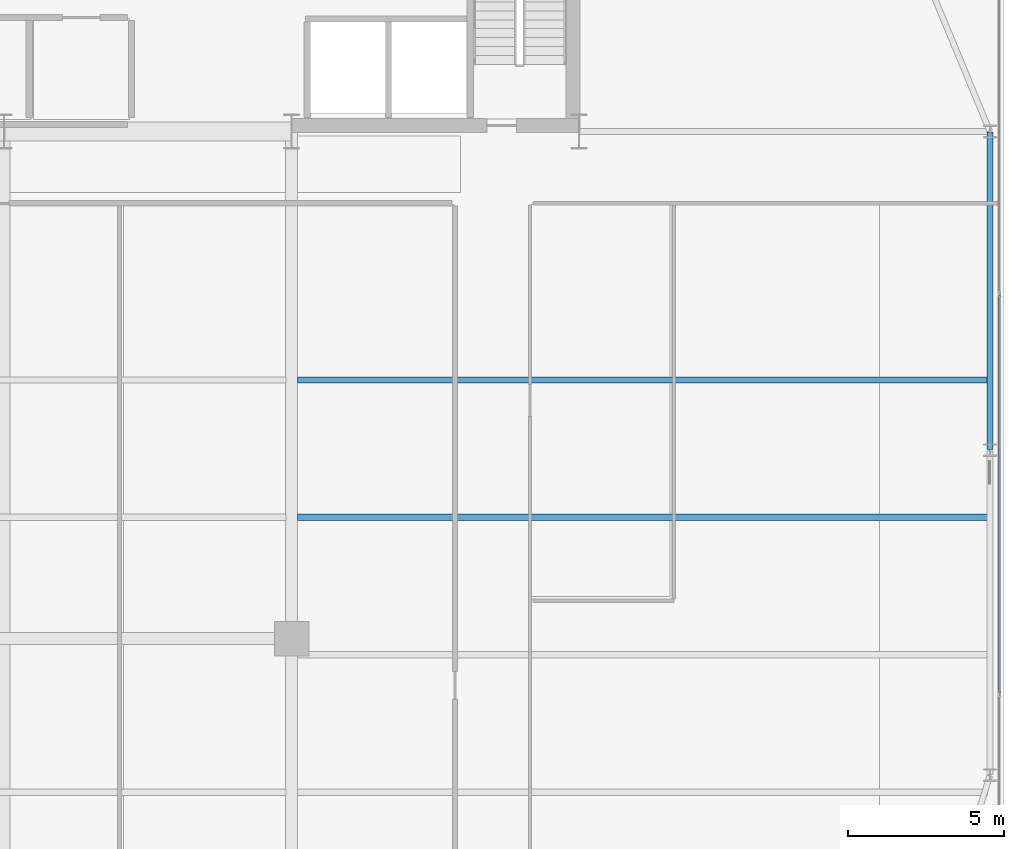
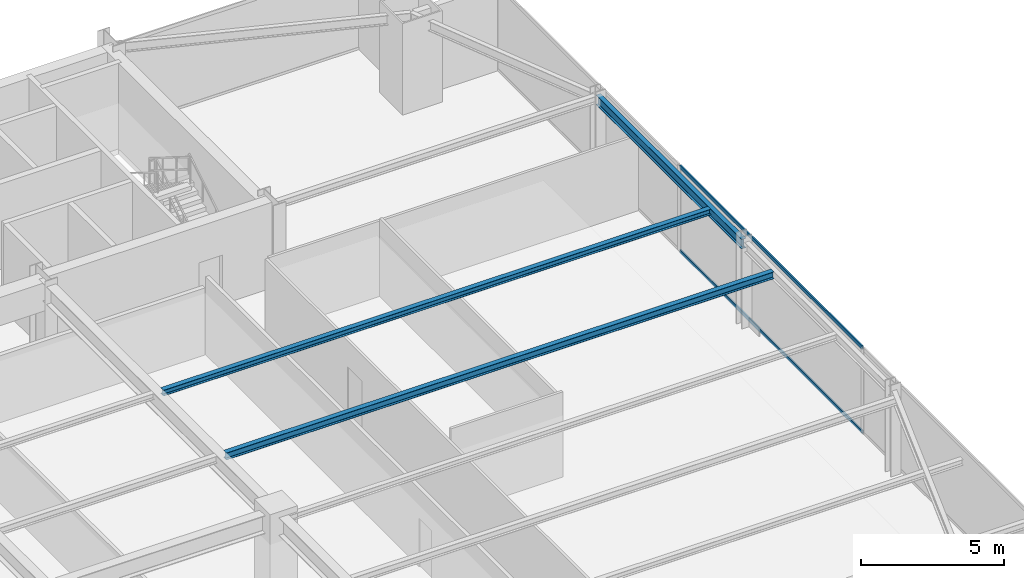
# One storey, part 17 of 31: 3 beams, 2 members, 1 element without a shape of its own.
"""IFC4 building model written with IfcOpenShell, lengths in metres."""

from ifc_helpers import new_model, si_unit, direction, frame, origin, origin_2d, place, context, subcontext, project, spatial, hollow_rectangle, i_section, extrude, source, transform, mapped, material, layer, layer_set, material_profile, profile_set, type_object, type_shapes, element, aggregate, save


model = new_model("IFC4")

# Units and contexts
model_context = context("Model", 3, precision=1e-05, world=origin(), true_north=direction((0.0, 1.0)))
body_context = subcontext(model_context, "Body", "Model", "MODEL_VIEW")
ifc_project = project(units=[si_unit("LENGTHUNIT", "METRE"), si_unit("AREAUNIT", "SQUARE_METRE"), si_unit("VOLUMEUNIT", "CUBIC_METRE"), si_unit("PLANEANGLEUNIT", "RADIAN"), si_unit("MASSUNIT", "GRAM", prefix="KILO")], contexts=[model_context])

# Site, building, storey
site_placement = place(None, origin())
site = spatial("IfcSite", under=ifc_project, at=site_placement, CompositionType="ELEMENT")
building_placement = place(site_placement, origin())
building = spatial("IfcBuilding", under=site, at=building_placement, Name="Varnel Quay Broadcast Tower", CompositionType="ELEMENT")
storey_placement = place(building_placement, frame((0.0, 0.0, 35.39990234375)))
storey = spatial("IfcBuildingStorey", under=building, at=storey_placement, Name="L07", CompositionType="ELEMENT", Elevation=35.39990234375)

# Beams
ifc_material_1 = material(Name="Structural Steel CSA G40.21 350W", Category="steel")
ifc_material_profile_1 = material_profile(ifc_material_1, i_section(OverallWidth=0.180908203125, OverallDepth=0.4169921875, WebThickness=0.010986328125, FlangeThickness=0.018310546875, FilletRadius=0.011962890625, at=origin_2d()), Name="W410X85")
ifc_profile_set_1 = profile_set([ifc_material_profile_1], Name="Structural Steel CSA G40.21 350W")
beam_type_1 = type_object("IfcBeamType", Name="Beam_W410X85", PredefinedType="SPANDREL", material=ifc_profile_set_1)
shared_shape_1 = source(origin(), body_context, "Body", "SweptSolid", [
    extrude(i_section(OverallWidth=0.180908203125, OverallDepth=0.4169921875, WebThickness=0.010986328125, FlangeThickness=0.018310546875, FilletRadius=0.011962890625, at=origin_2d()), origin(), (0.0, 0.0, 1.0), 10.16015625),
])
type_shapes(beam_type_1, [shared_shape_1])
beam_1_placement = place(storey_placement, frame((65.550048828125, 25.419921875, 3.441650390625), z_axis=(0.0, 1.0, 0.0), x_axis=(-1.0, 0.0, 0.0)))
element("IfcBeam", 1, at=beam_1_placement, inside=storey, type_object=beam_type_1, Name="L07 East Spandrel TC-E2-TC-E3", PredefinedType="SPANDREL", context=body_context, shape_type="MappedRepresentation", body=[
    mapped(shared_shape_1, transform((0.0, 0.0, 0.0), x_axis=(1.0, 0.0, 0.0), y_axis=(0.0, 1.0, 0.0), z_axis=(0.0, 0.0, 1.0), scale=1.0)),
])
ifc_material_profile_2 = material_profile(ifc_material_1, i_section(OverallWidth=0.202880859375, OverallDepth=0.302978515625, WebThickness=0.007568359375, FlangeThickness=0.01318359375, FilletRadius=0.011962890625, at=origin_2d()), Name="W310X60")
ifc_profile_set_2 = profile_set([ifc_material_profile_2], Name="Structural Steel CSA G40.21 350W")
beam_type_2 = type_object("IfcBeamType", Name="Beam_W310X60", PredefinedType="JOIST", material=ifc_profile_set_2)
shared_shape_2 = source(origin(), body_context, "Body", "SweptSolid", [
    extrude(i_section(OverallWidth=0.202880859375, OverallDepth=0.302978515625, WebThickness=0.007568359375, FlangeThickness=0.01318359375, FilletRadius=0.011962890625, at=origin_2d()), origin(), (0.0, 0.0, 1.0), 22.0791015625),
])
type_shapes(beam_type_2, [shared_shape_2])
beam_2_placement = place(storey_placement, frame((43.385498046875, 23.25, 3.49853515625), z_axis=(1.0, 0.0, 0.0), x_axis=(0.0, 1.0, 0.0)))
element("IfcBeam", 2, at=beam_2_placement, inside=storey, type_object=beam_type_2, Name="L07 East Floor Joist 5", PredefinedType="JOIST", context=body_context, shape_type="MappedRepresentation", body=[
    mapped(shared_shape_2, transform((0.0, 0.0, 0.0), x_axis=(1.0, 0.0, 0.0), y_axis=(0.0, 1.0, 0.0), z_axis=(0.0, 0.0, 1.0), scale=1.0)),
])
ifc_material_profile_3 = material_profile(ifc_material_1, i_section(OverallWidth=0.201904296875, OverallDepth=0.2470703125, WebThickness=0.00732421875, FlangeThickness=0.010986328125, FilletRadius=0.010986328125, at=origin_2d()), Name="W250X49")
ifc_profile_set_3 = profile_set([ifc_material_profile_3], Name="Structural Steel CSA G40.21 350W")
beam_type_3 = type_object("IfcBeamType", Name="Beam_W250X49", PredefinedType="JOIST", material=ifc_profile_set_3)
shared_shape_3 = source(origin(), body_context, "Body", "SweptSolid", [
    extrude(i_section(OverallWidth=0.201904296875, OverallDepth=0.2470703125, WebThickness=0.00732421875, FlangeThickness=0.010986328125, FilletRadius=0.010986328125, at=origin_2d()), origin(), (0.0, 0.0, 1.0), 22.0791015625),
])
type_shapes(beam_type_3, [shared_shape_3])
beam_3_placement = place(storey_placement, frame((43.385498046875, 27.64990234375, 3.526611328125), z_axis=(1.0, 0.0, 0.0), x_axis=(0.0, 1.0, 0.0)))
element("IfcBeam", 3, at=beam_3_placement, inside=storey, type_object=beam_type_3, Name="L07 East Floor Joist 6", PredefinedType="JOIST", context=body_context, shape_type="MappedRepresentation", body=[
    mapped(shared_shape_3, transform((0.0, 0.0, 0.0), x_axis=(1.0, 0.0, 0.0), y_axis=(0.0, 1.0, 0.0), z_axis=(0.0, 0.0, 1.0), scale=1.0)),
])

# Curtain wall, members
ifc_material_2 = material(Name="Anodised Bronze Aluminium 6063-T6", Category="aluminium")
ifc_layer = layer(ifc_material_2, 0.18994140625, Name="Anodised Bronze Aluminium 6063-T6")
ifc_layer_set = layer_set([ifc_layer], Name="Anodised Bronze Aluminium 6063-T6")
curtain_wall_type = type_object("IfcCurtainWallType", Name="CW_LowerTower", PredefinedType="NOTDEFINED", material=ifc_layer_set)
curtain_wall_placement = place(storey_placement, origin())
curtain_wall = element("IfcCurtainWall", 4, at=curtain_wall_placement, inside=storey, type_object=curtain_wall_type, Name="L07 East Unitised Curtain Wall", PredefinedType="NOTDEFINED")
ifc_material_profile_4 = material_profile(ifc_material_2, hollow_rectangle(XDim=0.06005859375, YDim=0.14501953125, WallThickness=0.00341796875, at=origin_2d()), Name="ALU60X145X3.5")
ifc_profile_set_4 = profile_set([ifc_material_profile_4], Name="Anodised Bronze Aluminium 6063-T6")
member_type = type_object("IfcMemberType", Name="Tran_CWS-02", PredefinedType="USERDEFINED", material=ifc_profile_set_4)
shared_shape_4 = source(origin(), body_context, "Body", "SweptSolid", [
    extrude(hollow_rectangle(XDim=0.06005859375, YDim=0.14501953125, WallThickness=0.00341796875, at=origin_2d()), origin(), (0.0, 0.0, 1.0), 12.72998046875),
])
type_shapes(member_type, [shared_shape_4])
member_1_placement = place(storey_placement, frame((65.85009765625, 17.635009765625, 0.030029296875), z_axis=(0.0, 1.0, 0.0), x_axis=(-1.0, 0.0, 0.0)))
member_1 = element("IfcMember", 5, at=member_1_placement, type_object=member_type, Name="CWS-02 transom 2.1", ObjectType="TRANSOM", PredefinedType="USERDEFINED", context=body_context, shape_type="MappedRepresentation", body=[
    mapped(shared_shape_4, transform((0.0, 0.0, 0.0), x_axis=(1.0, 0.0, 0.0), y_axis=(0.0, 1.0, 0.0), z_axis=(0.0, 0.0, 1.0), scale=1.0)),
])
member_2_placement = place(storey_placement, frame((65.85009765625, 17.635009765625, 3.6201171875), z_axis=(0.0, 1.0, 0.0), x_axis=(-1.0, 0.0, 0.0)))
member_2 = element("IfcMember", 6, at=member_2_placement, type_object=member_type, Name="CWS-02 transom 2.2", ObjectType="TRANSOM", PredefinedType="USERDEFINED", context=body_context, shape_type="MappedRepresentation", body=[
    mapped(shared_shape_4, transform((0.0, 0.0, 0.0), x_axis=(1.0, 0.0, 0.0), y_axis=(0.0, 1.0, 0.0), z_axis=(0.0, 0.0, 1.0), scale=1.0)),
])
aggregate(curtain_wall, [member_1, member_2])

save(model, "model.ifc")
